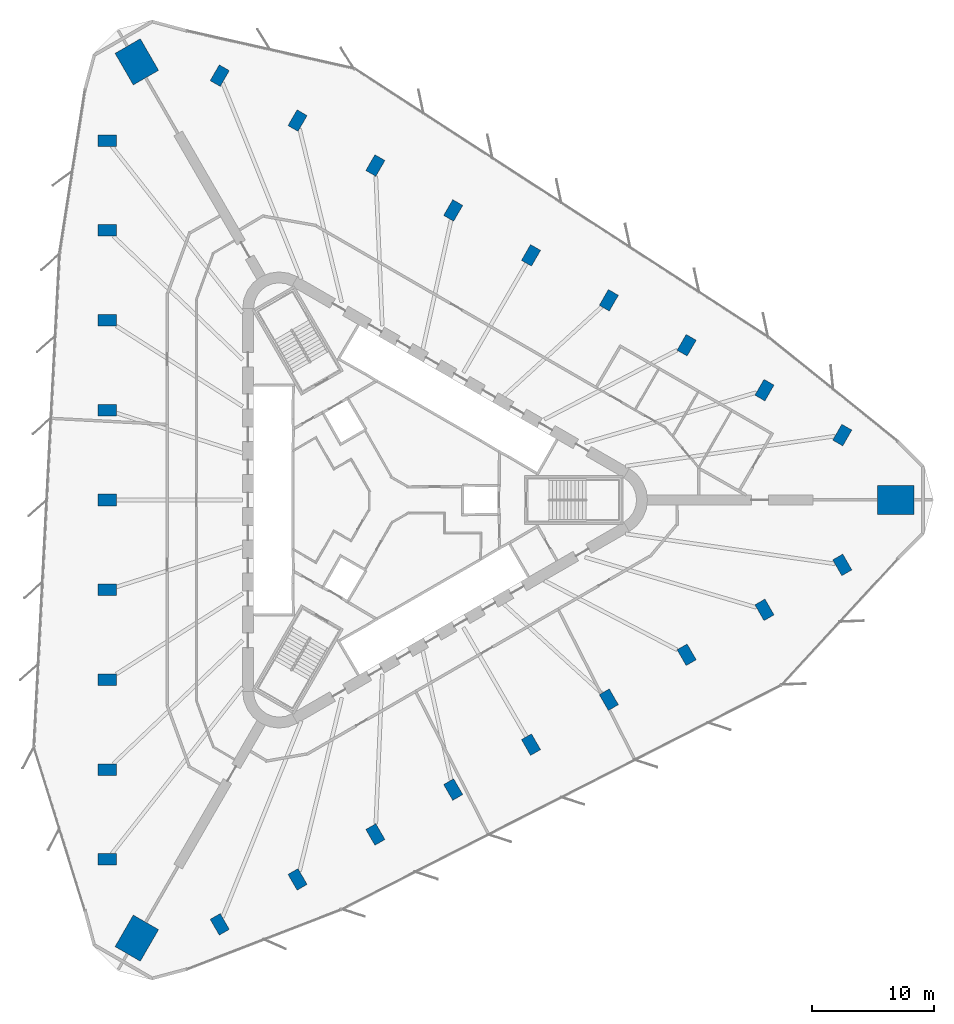
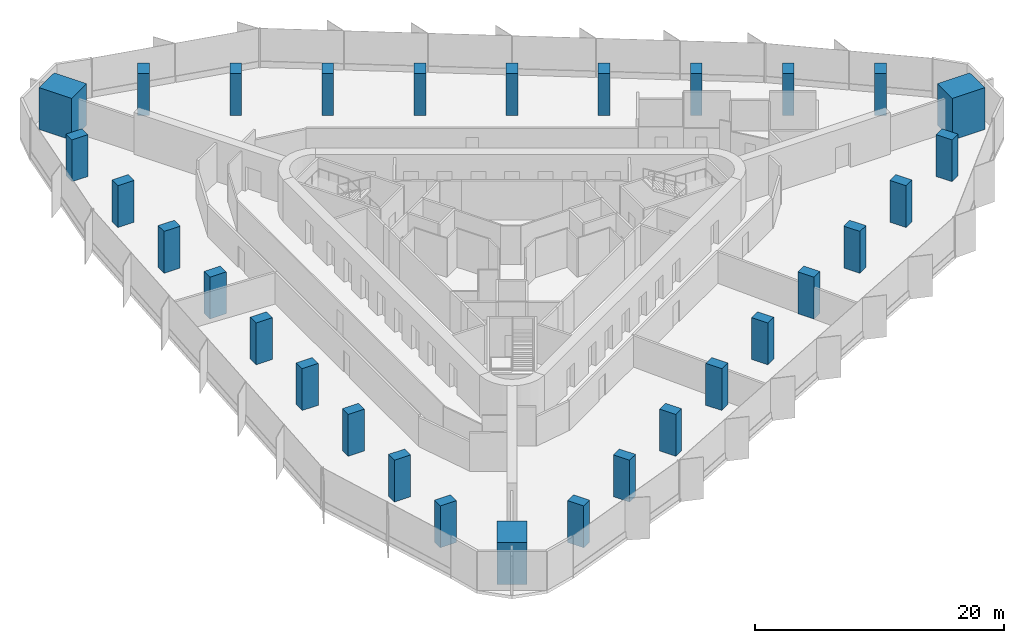
# One storey, part 1 of 14: 30 columns.
"""IFC4 building model written with IfcOpenShell, lengths in metres."""

from ifc_helpers import new_model, si_unit, direction, frame, origin, origin_2d, place, context, subcontext, project, spatial, rectangle, extrude, material, material_profile, profile_set, type_object, element, save


model = new_model("IFC4")

# Units and contexts
model_context = context("Model", 3, precision=1e-05, world=origin(), true_north=direction((0.0, 1.0)))
body_context = subcontext(model_context, "Body", "Model", "MODEL_VIEW")
ifc_project = project(units=[si_unit("LENGTHUNIT", "METRE"), si_unit("AREAUNIT", "SQUARE_METRE"), si_unit("VOLUMEUNIT", "CUBIC_METRE"), si_unit("PLANEANGLEUNIT", "RADIAN"), si_unit("MASSUNIT", "GRAM", prefix="KILO")], contexts=[model_context])

# Site, building, storey
site_placement = place(None, origin())
site = spatial("IfcSite", under=ifc_project, at=site_placement, CompositionType="ELEMENT")
building_placement = place(site_placement, origin())
building = spatial("IfcBuilding", under=site, at=building_placement, Name="Tanit Gate Tower", CompositionType="ELEMENT")
storey_placement = place(building_placement, frame((0.0, 0.0, 74.199951171875)))
storey = spatial("IfcBuildingStorey", under=building, at=storey_placement, Name="L14", CompositionType="ELEMENT", Elevation=74.199951171875)

# Columns
ifc_material_1 = material(Name="Concrete C70/85", Category="concrete")
ifc_material_profile_1 = material_profile(ifc_material_1, rectangle(XDim=3.0, YDim=2.39990234375, at=origin_2d()), Name="RC 3000x2400")
ifc_profile_set_1 = profile_set([ifc_material_profile_1], Name="Concrete C70/85")
column_type_1 = type_object("IfcColumnType", Name="MEGA COLUMN 3000x2400 C70/85", PredefinedType="COLUMN", material=ifc_profile_set_1)
for number, where, z_axis, x_axis, name in (
    (1, (41.615966796875, 0.0, 0.0), (0.0, 0.0, 1.0), (1.0, 0.0, 0.0), "MEGA COLUMN"),
    (2, (-20.80810546875, 36.04052734375, 0.0), (0.0, 0.0, 1.0), (-0.5, 0.866025403784, 0.0), "MEGA COLUMN"),
    (3, (-20.80810546875, -36.04052734375, 0.0), (0.0, 0.0, 1.0), (-0.5, -0.866025403784, 0.0), "MEGA COLUMN"),
):
    element("IfcColumn", number, at=place(storey_placement, frame(where, z_axis=z_axis, x_axis=x_axis)), inside=storey, type_object=column_type_1, Name=name, PredefinedType="COLUMN", context=body_context, shape_type="SweptSolid", body=[
        extrude(rectangle(XDim=3.0, YDim=2.39990234375, at=origin_2d()), origin(), (0.0, 0.0, 1.0), 4.10009765625),
    ])
ifc_material_2 = material(Name="Concrete C60/75", Category="concrete")
ifc_material_profile_2 = material_profile(ifc_material_2, rectangle(XDim=1.5, YDim=0.949951171875, at=origin_2d()), Name="RC 1500x950")
ifc_profile_set_2 = profile_set([ifc_material_profile_2], Name="Concrete C60/75")
column_type_2 = type_object("IfcColumnType", Name="PERIMETER COLUMN 1500x950 C60/75", PredefinedType="COLUMN", material=ifc_profile_set_2)
for number, where, z_axis, x_axis, name in (
    (4, (-23.235595703125, 29.56591796875, 0.0), (0.0, 0.0, 1.0), (-1.0, 0.0, 0.0), "PERIMETER COLUMN"),
    (5, (-23.235595703125, 22.17431640625, 0.0), (0.0, 0.0, 1.0), (-1.0, 0.0, 0.0), "PERIMETER COLUMN"),
    (6, (-23.235595703125, 14.782958984375, 0.0), (0.0, 0.0, 1.0), (-1.0, 0.0, 0.0), "PERIMETER COLUMN"),
    (7, (-23.235595703125, 7.391357421875, 0.0), (0.0, 0.0, 1.0), (-1.0, 0.0, 0.0), "PERIMETER COLUMN"),
    (8, (-23.235595703125, 0.0, 0.0), (0.0, 0.0, 1.0), (-1.0, 0.0, 0.0), "PERIMETER COLUMN"),
    (9, (-23.235595703125, -7.391357421875, 0.0), (0.0, 0.0, 1.0), (-1.0, 0.0, 0.0), "PERIMETER COLUMN"),
    (10, (-23.235595703125, -14.782958984375, 0.0), (0.0, 0.0, 1.0), (-1.0, 0.0, 0.0), "PERIMETER COLUMN"),
    (11, (-23.235595703125, -22.17431640625, 0.0), (0.0, 0.0, 1.0), (-1.0, 0.0, 0.0), "PERIMETER COLUMN"),
    (12, (-23.235595703125, -29.56591796875, 0.0), (0.0, 0.0, 1.0), (-1.0, 0.0, 0.0), "PERIMETER COLUMN"),
    (13, (37.22265625, 5.33984375, 0.0), (0.0, 0.0, 1.0), (0.5, 0.866025403784, 0.0), "PERIMETER COLUMN"),
    (14, (30.8212890625, 9.035400390625, 0.0), (0.0, 0.0, 1.0), (0.5, 0.866025403784, 0.0), "PERIMETER COLUMN"),
    (15, (24.420166015625, 12.731201171875, 0.0), (0.0, 0.0, 1.0), (0.5, 0.866025403784, 0.0), "PERIMETER COLUMN"),
    (16, (18.01904296875, 16.427001953125, 0.0), (0.0, 0.0, 1.0), (0.5, 0.866025403784, 0.0), "PERIMETER COLUMN"),
    (17, (11.617919921875, 20.122802734375, 0.0), (0.0, 0.0, 1.0), (0.5, 0.866025403784, 0.0), "PERIMETER COLUMN"),
    (18, (5.216796875, 23.818359375, 0.0), (0.0, 0.0, 1.0), (0.5, 0.866025403784, 0.0), "PERIMETER COLUMN"),
    (19, (-1.1845703125, 27.51416015625, 0.0), (0.0, 0.0, 1.0), (0.5, 0.866025403784, 0.0), "PERIMETER COLUMN"),
    (20, (-7.585693359375, 31.2099609375, 0.0), (0.0, 0.0, 1.0), (0.5, 0.866025403784, 0.0), "PERIMETER COLUMN"),
    (21, (-13.98681640625, 34.905517578125, 0.0), (0.0, 0.0, 1.0), (0.5, 0.866025403784, 0.0), "PERIMETER COLUMN"),
    (22, (-13.98681640625, -34.905517578125, 0.0), (0.0, 0.0, 1.0), (0.5, -0.866025403784, 0.0), "PERIMETER COLUMN"),
    (23, (-7.585693359375, -31.2099609375, 0.0), (0.0, 0.0, 1.0), (0.5, -0.866025403784, 0.0), "PERIMETER COLUMN"),
    (24, (-1.1845703125, -27.51416015625, 0.0), (0.0, 0.0, 1.0), (0.5, -0.866025403784, 0.0), "PERIMETER COLUMN"),
    (25, (5.216796875, -23.818359375, 0.0), (0.0, 0.0, 1.0), (0.5, -0.866025403784, 0.0), "PERIMETER COLUMN"),
    (26, (11.617919921875, -20.122802734375, 0.0), (0.0, 0.0, 1.0), (0.5, -0.866025403784, 0.0), "PERIMETER COLUMN"),
    (27, (18.01904296875, -16.427001953125, 0.0), (0.0, 0.0, 1.0), (0.5, -0.866025403784, 0.0), "PERIMETER COLUMN"),
    (28, (24.420166015625, -12.731201171875, 0.0), (0.0, 0.0, 1.0), (0.5, -0.866025403784, 0.0), "PERIMETER COLUMN"),
    (29, (30.8212890625, -9.035400390625, 0.0), (0.0, 0.0, 1.0), (0.5, -0.866025403784, 0.0), "PERIMETER COLUMN"),
    (30, (37.22265625, -5.33984375, 0.0), (0.0, 0.0, 1.0), (0.5, -0.866025403784, 0.0), "PERIMETER COLUMN"),
):
    element("IfcColumn", number, at=place(storey_placement, frame(where, z_axis=z_axis, x_axis=x_axis)), inside=storey, type_object=column_type_2, Name=name, PredefinedType="COLUMN", context=body_context, shape_type="SweptSolid", body=[
        extrude(rectangle(XDim=1.5, YDim=0.949951171875, at=origin_2d()), origin(), (0.0, 0.0, 1.0), 4.10009765625),
    ])

save(model, "model.ifc")
